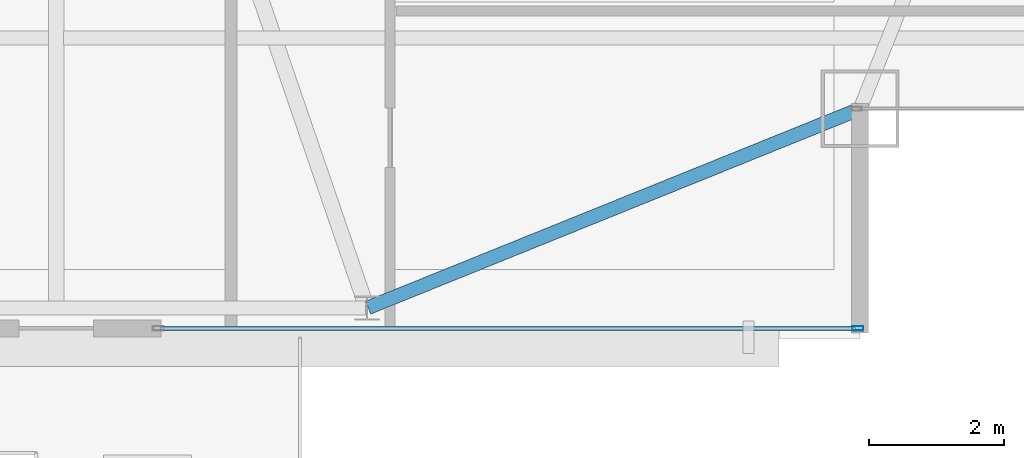
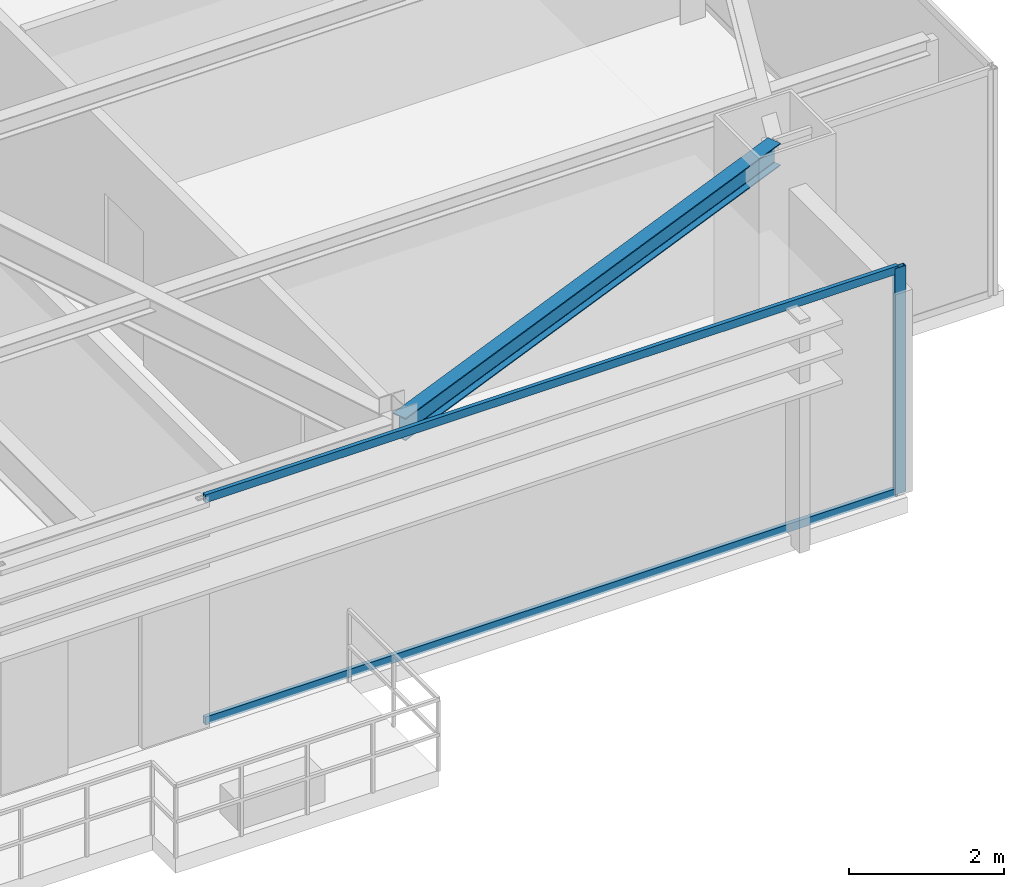
# One storey, part 13 of 30: 3 members, 1 beam, 1 element without a shape of its own.
"""IFC4 building model written with IfcOpenShell, lengths in metres."""

from ifc_helpers import new_model, si_unit, direction, frame, origin, origin_2d, place, context, subcontext, project, spatial, hollow_rectangle, i_section, extrude, source, transform, mapped, material, layer, layer_set, material_profile, profile_set, type_object, type_shapes, element, aggregate, save


model = new_model("IFC4")

# Units and contexts
model_context = context("Model", 3, precision=1e-05, world=origin(), true_north=direction((0.0, 1.0)))
body_context = subcontext(model_context, "Body", "Model", "MODEL_VIEW")
ifc_project = project(units=[si_unit("LENGTHUNIT", "METRE"), si_unit("AREAUNIT", "SQUARE_METRE"), si_unit("VOLUMEUNIT", "CUBIC_METRE"), si_unit("PLANEANGLEUNIT", "RADIAN"), si_unit("MASSUNIT", "GRAM", prefix="KILO")], contexts=[model_context])

# Site, building, storey
site_placement = place(None, origin())
site = spatial("IfcSite", under=ifc_project, at=site_placement, CompositionType="ELEMENT")
building_placement = place(site_placement, origin())
building = spatial("IfcBuilding", under=site, at=building_placement, Name="Varnel Quay Broadcast Tower", CompositionType="ELEMENT")
storey_placement = place(building_placement, frame((0.0, 0.0, 207.39990234375)))
storey = spatial("IfcBuildingStorey", under=building, at=storey_placement, Name="L51", CompositionType="ELEMENT", Elevation=207.39990234375)

# Beam
ifc_material_1 = material(Name="Structural Steel CSA G40.21 350W", Category="steel")
ifc_material_profile_1 = material_profile(ifc_material_1, i_section(OverallWidth=0.205078125, OverallDepth=0.35400390625, WebThickness=0.009521484375, FlangeThickness=0.016845703125, FilletRadius=0.012939453125, at=origin_2d()), Name="W360X79")
ifc_profile_set_1 = profile_set([ifc_material_profile_1], Name="Structural Steel CSA G40.21 350W")
beam_type = type_object("IfcBeamType", Name="Beam_W360X79", PredefinedType="SPANDREL", material=ifc_profile_set_1)
shared_shape_1 = source(origin(), body_context, "Body", "SweptSolid", [
    extrude(i_section(OverallWidth=0.205078125, OverallDepth=0.35400390625, WebThickness=0.009521484375, FlangeThickness=0.016845703125, FilletRadius=0.012939453125, at=origin_2d()), origin(), (0.0, 0.0, 1.0), 7.83349609375),
])
type_shapes(beam_type, [shared_shape_1])
beam_placement = place(storey_placement, frame((47.818603515625, 10.657470703125, 3.373046875), z_axis=(0.927155449606, 0.374676890489, 0.0), x_axis=(-0.374676890489, 0.927155449606, 0.0)))
element("IfcBeam", 1, at=beam_placement, inside=storey, type_object=beam_type, Name="L51 South Spandrel TC-S4-MC-SE", PredefinedType="SPANDREL", context=body_context, shape_type="MappedRepresentation", body=[
    mapped(shared_shape_1, transform((0.0, 0.0, 0.0), x_axis=(1.0, 0.0, 0.0), y_axis=(0.0, 1.0, 0.0), z_axis=(0.0, 0.0, 1.0), scale=1.0)),
])

# Curtain wall, members
ifc_material_2 = material(Name="Anodised Bronze Aluminium 6063-T6", Category="aluminium")
ifc_layer = layer(ifc_material_2, 0.18994140625, Name="Anodised Bronze Aluminium 6063-T6")
ifc_layer_set = layer_set([ifc_layer], Name="Anodised Bronze Aluminium 6063-T6")
curtain_wall_type = type_object("IfcCurtainWallType", Name="CW_UpperTower", PredefinedType="NOTDEFINED", material=ifc_layer_set)
curtain_wall_placement = place(storey_placement, origin())
curtain_wall = element("IfcCurtainWall", 2, at=curtain_wall_placement, inside=storey, type_object=curtain_wall_type, Name="L51 South Unitised Curtain Wall 3", PredefinedType="NOTDEFINED")
ifc_material_profile_2 = material_profile(ifc_material_2, hollow_rectangle(XDim=0.06494140625, YDim=0.1650390625, WallThickness=0.00341796875, at=origin_2d()), Name="ALU65X165X3.5")
ifc_profile_set_2 = profile_set([ifc_material_profile_2], Name="Anodised Bronze Aluminium 6063-T6")
member_type_1 = type_object("IfcMemberType", Name="Mull_CWS-03", PredefinedType="MULLION", material=ifc_profile_set_2)
shared_shape_2 = source(origin(), body_context, "Body", "SweptSolid", [
    extrude(hollow_rectangle(XDim=0.06494140625, YDim=0.1650390625, WallThickness=0.00341796875, at=origin_2d()), origin(), (0.0, 0.0, 1.0), 3.550048828125),
])
type_shapes(member_type_1, [shared_shape_2])
member_1_placement = place(storey_placement, frame((55.0673828125, 10.35009765625, 0.0), z_axis=(0.0, 0.0, 1.0), x_axis=(0.0, 1.0, 0.0)))
member_1 = element("IfcMember", 3, at=member_1_placement, type_object=member_type_1, Name="CWS-03 mullion 2", PredefinedType="MULLION", context=body_context, shape_type="MappedRepresentation", body=[
    mapped(shared_shape_2, transform((0.0, 0.0, 0.0), x_axis=(1.0, 0.0, 0.0), y_axis=(0.0, 1.0, 0.0), z_axis=(0.0, 0.0, 1.0), scale=1.0)),
])
ifc_material_profile_3 = material_profile(ifc_material_2, hollow_rectangle(XDim=0.06005859375, YDim=0.125, WallThickness=0.0029296875, at=origin_2d()), Name="ALU60X125X3")
ifc_profile_set_3 = profile_set([ifc_material_profile_3], Name="Anodised Bronze Aluminium 6063-T6")
member_type_2 = type_object("IfcMemberType", Name="Tran_CWS-03", PredefinedType="USERDEFINED", material=ifc_profile_set_3)
shared_shape_3 = source(origin(), body_context, "Body", "SweptSolid", [
    extrude(hollow_rectangle(XDim=0.06005859375, YDim=0.125, WallThickness=0.0029296875, at=origin_2d()), origin(), (0.0, 0.0, 1.0), 10.289794921875),
])
type_shapes(member_type_2, [shared_shape_3])
member_2_placement = place(storey_placement, frame((44.7451171875, 10.35009765625, 0.030029296875), z_axis=(1.0, 0.0, 0.0), x_axis=(0.0, 1.0, 0.0)))
member_2 = element("IfcMember", 4, at=member_2_placement, type_object=member_type_2, Name="CWS-03 transom 1.1", ObjectType="TRANSOM", PredefinedType="USERDEFINED", context=body_context, shape_type="MappedRepresentation", body=[
    mapped(shared_shape_3, transform((0.0, 0.0, 0.0), x_axis=(1.0, 0.0, 0.0), y_axis=(0.0, 1.0, 0.0), z_axis=(0.0, 0.0, 1.0), scale=1.0)),
])
member_3_placement = place(storey_placement, frame((44.7451171875, 10.35009765625, 3.52001953125), z_axis=(1.0, 0.0, 0.0), x_axis=(0.0, 1.0, 0.0)))
member_3 = element("IfcMember", 5, at=member_3_placement, type_object=member_type_2, Name="CWS-03 transom 1.2", ObjectType="TRANSOM", PredefinedType="USERDEFINED", context=body_context, shape_type="MappedRepresentation", body=[
    mapped(shared_shape_3, transform((0.0, 0.0, 0.0), x_axis=(1.0, 0.0, 0.0), y_axis=(0.0, 1.0, 0.0), z_axis=(0.0, 0.0, 1.0), scale=1.0)),
])
aggregate(curtain_wall, [member_1, member_2, member_3])

save(model, "model.ifc")
